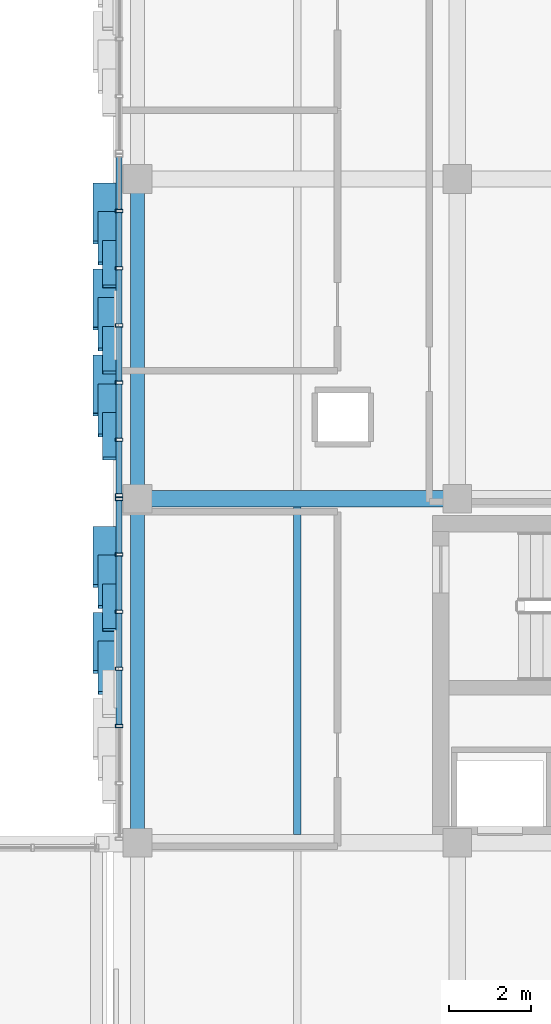
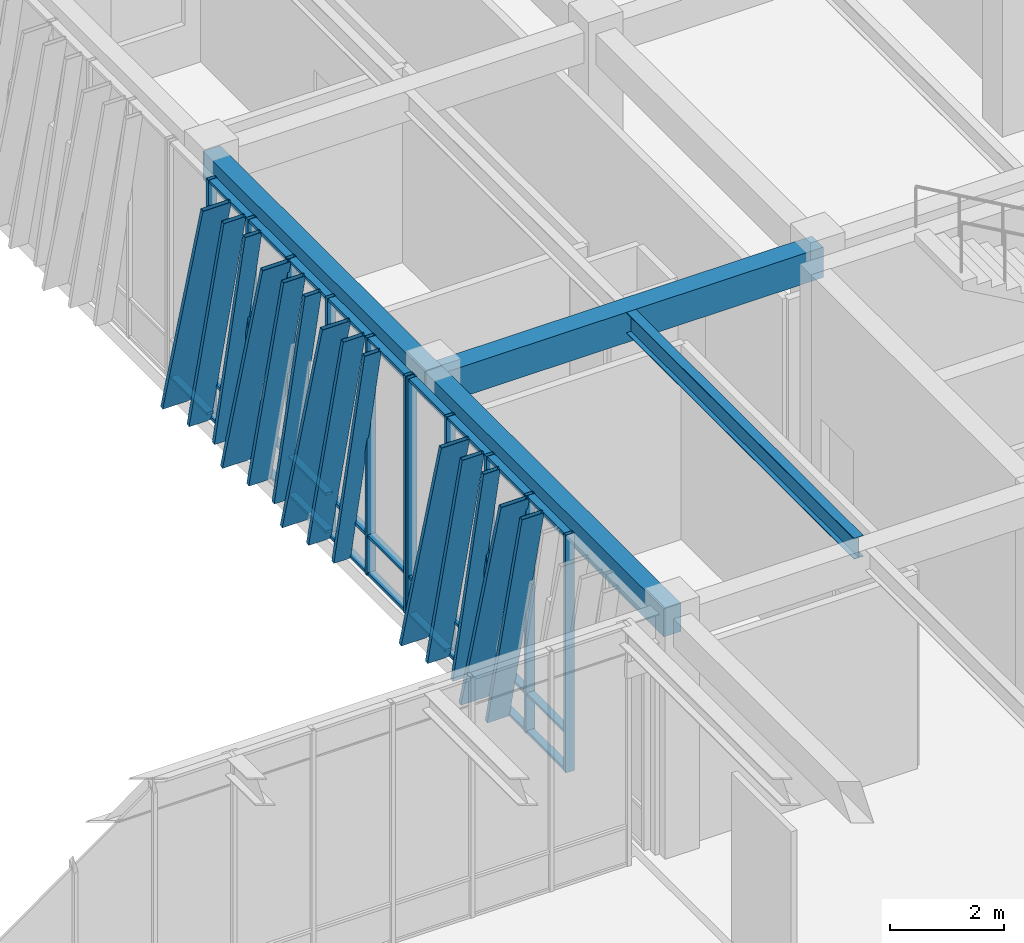
# One storey, part 67 of 139: 53 members, 4 beams, 2 elements without a shape of their own.
"""IFC4 building model written with IfcOpenShell, lengths in metres."""

from ifc_helpers import new_model, si_unit, direction, frame, origin, origin_2d, place, context, subcontext, project, spatial, rectangle, hollow_rectangle, i_section, extrude, material, layer, layer_set, material_profile, profile_set, type_object, element, aggregate, save


model = new_model("IFC4")

# Units and contexts
model_context = context("Model", 3, precision=1e-05, world=origin(), true_north=direction((0.0, 1.0)))
body_context = subcontext(model_context, "Body", "Model", "MODEL_VIEW")
ifc_project = project(units=[si_unit("LENGTHUNIT", "METRE"), si_unit("AREAUNIT", "SQUARE_METRE"), si_unit("VOLUMEUNIT", "CUBIC_METRE"), si_unit("PLANEANGLEUNIT", "RADIAN"), si_unit("MASSUNIT", "GRAM", prefix="KILO")], contexts=[model_context])

# Site, building, storey
site_placement = place(None, origin())
site = spatial("IfcSite", under=ifc_project, at=site_placement, CompositionType="ELEMENT")
building_placement = place(site_placement, origin())
building = spatial("IfcBuilding", under=site, at=building_placement, Name="Zayran Congress Hotel", CompositionType="ELEMENT")
storey_placement = place(building_placement, frame((0.0, 0.0, 5.39990234375)))
storey = spatial("IfcBuildingStorey", under=building, at=storey_placement, Name="L01", CompositionType="ELEMENT", Elevation=5.39990234375)

# Beams
ifc_material_1 = material(Name="Concrete C40/50", Category="concrete")
ifc_material_profile_1 = material_profile(ifc_material_1, rectangle(XDim=0.39990234375, YDim=0.64990234375, at=origin_2d()), Name="RC 400x650")
ifc_profile_set_1 = profile_set([ifc_material_profile_1], Name="Concrete C40/50")
beam_type_1 = type_object("IfcBeamType", Name="TP-BM-03", PredefinedType="BEAM", material=ifc_profile_set_1)
beam_1_placement = place(storey_placement, frame((109.800048828125, 92.800048828125, 4.775146484375), z_axis=(1.0, 0.0, 0.0), x_axis=(0.0, 1.0, 0.0)))
element("IfcBeam", 1, at=beam_1_placement, inside=storey, type_object=beam_type_1, Name="BM-V4-L01-1332", PredefinedType="BEAM", context=body_context, shape_type="SweptSolid", body=[
    extrude(rectangle(XDim=0.39990234375, YDim=0.64990234375, at=origin_2d()), origin(), (0.0, 0.0, 1.0), 7.800048828125),
])
ifc_material_profile_2 = material_profile(ifc_material_1, rectangle(XDim=0.35009765625, YDim=0.60009765625, at=origin_2d()), Name="RC 350x600")
ifc_profile_set_2 = profile_set([ifc_material_profile_2], Name="Concrete C40/50")
beam_type_2 = type_object("IfcBeamType", Name="TP-SP-01", PredefinedType="SPANDREL", material=ifc_profile_set_2)
beam_2_placement = place(storey_placement, frame((109.800048828125, 84.39990234375, 4.800048828125), z_axis=(0.0, 1.0, 0.0), x_axis=(-1.0, 0.0, 0.0)))
element("IfcBeam", 2, at=beam_2_placement, inside=storey, type_object=beam_type_2, Name="BM-V4-L01-1349", PredefinedType="SPANDREL", context=body_context, shape_type="SweptSolid", body=[
    extrude(rectangle(XDim=0.35009765625, YDim=0.60009765625, at=origin_2d()), origin(), (0.0, 0.0, 1.0), 8.400146484375),
])
beam_3_placement = place(storey_placement, frame((109.800048828125, 92.800048828125, 4.800048828125), z_axis=(0.0, 1.0, 0.0), x_axis=(-1.0, 0.0, 0.0)))
element("IfcBeam", 3, at=beam_3_placement, inside=storey, type_object=beam_type_2, Name="BM-V4-L01-1350", PredefinedType="SPANDREL", context=body_context, shape_type="SweptSolid", body=[
    extrude(rectangle(XDim=0.35009765625, YDim=0.60009765625, at=origin_2d()), origin(), (0.0, 0.0, 1.0), 7.800048828125),
])
ifc_material_2 = material(Name="Steel S355", Category="steel")
ifc_material_profile_3 = material_profile(ifc_material_2, i_section(OverallWidth=0.18994140625, OverallDepth=0.449951171875, WebThickness=0.009521484375, FlangeThickness=0.0146484375, at=origin_2d()), Name="IPE 450")
ifc_profile_set_3 = profile_set([ifc_material_profile_3], Name="Steel S355")
beam_type_3 = type_object("IfcBeamType", Name="TP-JS-02", PredefinedType="JOIST", material=ifc_profile_set_3)
beam_4_placement = place(storey_placement, frame((113.699951171875, 84.60009765625, 4.875), z_axis=(0.0, 1.0, 0.0), x_axis=(-1.0, 0.0, 0.0)))
element("IfcBeam", 4, at=beam_4_placement, inside=storey, type_object=beam_type_3, Name="JST-V4-L01-1387", PredefinedType="JOIST", context=body_context, shape_type="SweptSolid", body=[
    extrude(i_section(OverallWidth=0.18994140625, OverallDepth=0.449951171875, WebThickness=0.009521484375, FlangeThickness=0.0146484375, at=origin_2d()), origin(), (0.0, 0.0, 1.0), 8.0),
])

# Curtain wall, members
ifc_material_3 = material(Name="Anodised aluminium and low-E insulated glass", Category="aluminium")
ifc_layer_1 = layer(ifc_material_3, 0.179931640625)
ifc_layer_set_1 = layer_set([ifc_layer_1], Name="Anodised aluminium and low-E insulated glass")
curtain_wall_type_1 = type_object("IfcCurtainWallType", Name="CW-V4W-L01-CW-53-8371-5100", PredefinedType="USERDEFINED", material=ifc_layer_set_1)
curtain_wall_1_placement = place(storey_placement, origin())
curtain_wall_1 = element("IfcCurtainWall", 5, at=curtain_wall_1_placement, inside=storey, type_object=curtain_wall_type_1, Name="CW-V4W-L01-5", ObjectType="CURTAIN WALL", PredefinedType="USERDEFINED")
ifc_material_4 = material(Name="Anodised aluminium framing", Category="aluminium")
ifc_material_profile_4 = material_profile(ifc_material_4, hollow_rectangle(XDim=0.080078125, YDim=0.179931640625, WallThickness=0.0048828125, at=origin_2d()), Name="RHS 180x80x5")
ifc_profile_set_4 = profile_set([ifc_material_profile_4], Name="Anodised aluminium framing")
member_type_1 = type_object("IfcMemberType", Name="TP-CWM-01", PredefinedType="MULLION", material=ifc_profile_set_4)
member_1_placement = place(storey_placement, frame((109.35009765625, 92.7919921875, 0.0), z_axis=(0.0, 0.0, 1.0), x_axis=(0.0, 1.0, 0.0)))
member_1 = element("IfcMember", 6, at=member_1_placement, type_object=member_type_1, Name="CW-V4W-L01-5-M00", PredefinedType="MULLION", context=body_context, shape_type="SweptSolid", body=[
    extrude(hollow_rectangle(XDim=0.080078125, YDim=0.179931640625, WallThickness=0.0048828125, at=origin_2d()), origin(), (0.0, 0.0, 1.0), 5.10009765625),
])
member_2_placement = place(storey_placement, frame((109.35009765625, 91.436767578125, 0.0), z_axis=(0.0, 0.0, 1.0), x_axis=(0.0, 1.0, 0.0)))
member_2 = element("IfcMember", 7, at=member_2_placement, type_object=member_type_1, Name="CW-V4W-L01-5-M01", PredefinedType="MULLION", context=body_context, shape_type="SweptSolid", body=[
    extrude(hollow_rectangle(XDim=0.080078125, YDim=0.179931640625, WallThickness=0.0048828125, at=origin_2d()), origin(), (0.0, 0.0, 1.0), 5.10009765625),
])
member_3_placement = place(storey_placement, frame((109.35009765625, 90.041748046875, 0.0), z_axis=(0.0, 0.0, 1.0), x_axis=(0.0, 1.0, 0.0)))
member_3 = element("IfcMember", 8, at=member_3_placement, type_object=member_type_1, Name="CW-V4W-L01-5-M02", PredefinedType="MULLION", context=body_context, shape_type="SweptSolid", body=[
    extrude(hollow_rectangle(XDim=0.080078125, YDim=0.179931640625, WallThickness=0.0048828125, at=origin_2d()), origin(), (0.0, 0.0, 1.0), 5.10009765625),
])
member_4_placement = place(storey_placement, frame((109.35009765625, 88.646484375, 0.0), z_axis=(0.0, 0.0, 1.0), x_axis=(0.0, 1.0, 0.0)))
member_4 = element("IfcMember", 9, at=member_4_placement, type_object=member_type_1, Name="CW-V4W-L01-5-M03", PredefinedType="MULLION", context=body_context, shape_type="SweptSolid", body=[
    extrude(hollow_rectangle(XDim=0.080078125, YDim=0.179931640625, WallThickness=0.0048828125, at=origin_2d()), origin(), (0.0, 0.0, 1.0), 5.10009765625),
])
member_5_placement = place(storey_placement, frame((109.35009765625, 87.251220703125, 0.0), z_axis=(0.0, 0.0, 1.0), x_axis=(0.0, 1.0, 0.0)))
member_5 = element("IfcMember", 10, at=member_5_placement, type_object=member_type_1, Name="CW-V4W-L01-5-M04", PredefinedType="MULLION", context=body_context, shape_type="SweptSolid", body=[
    extrude(hollow_rectangle(XDim=0.080078125, YDim=0.179931640625, WallThickness=0.0048828125, at=origin_2d()), origin(), (0.0, 0.0, 1.0), 5.10009765625),
])

ifc_layer_2 = layer(ifc_material_3, 0.179931640625)
ifc_layer_set_2 = layer_set([ifc_layer_2], Name="Anodised aluminium and low-E insulated glass")
curtain_wall_type_2 = type_object("IfcCurtainWallType", Name="CW-V4W-L01-CW-51-8372-5100", PredefinedType="USERDEFINED", material=ifc_layer_set_2)
curtain_wall_2_placement = place(storey_placement, origin())
curtain_wall_2 = element("IfcCurtainWall", 11, at=curtain_wall_2_placement, inside=storey, type_object=curtain_wall_type_2, Name="CW-V4W-L01-6", ObjectType="CURTAIN WALL", PredefinedType="USERDEFINED")
member_6_placement = place(storey_placement, frame((109.35009765625, 99.818603515625, 0.0), z_axis=(0.0, 0.0, 1.0), x_axis=(0.0, 1.0, 0.0)))
member_6 = element("IfcMember", 12, at=member_6_placement, type_object=member_type_1, Name="CW-V4W-L01-6-M01", PredefinedType="MULLION", context=body_context, shape_type="SweptSolid", body=[
    extrude(hollow_rectangle(XDim=0.080078125, YDim=0.179931640625, WallThickness=0.0048828125, at=origin_2d()), origin(), (0.0, 0.0, 1.0), 5.10009765625),
])
member_7_placement = place(storey_placement, frame((109.35009765625, 98.42333984375, 0.0), z_axis=(0.0, 0.0, 1.0), x_axis=(0.0, 1.0, 0.0)))
member_7 = element("IfcMember", 13, at=member_7_placement, type_object=member_type_1, Name="CW-V4W-L01-6-M02", PredefinedType="MULLION", context=body_context, shape_type="SweptSolid", body=[
    extrude(hollow_rectangle(XDim=0.080078125, YDim=0.179931640625, WallThickness=0.0048828125, at=origin_2d()), origin(), (0.0, 0.0, 1.0), 5.10009765625),
])
member_8_placement = place(storey_placement, frame((109.35009765625, 97.028076171875, 0.0), z_axis=(0.0, 0.0, 1.0), x_axis=(0.0, 1.0, 0.0)))
member_8 = element("IfcMember", 14, at=member_8_placement, type_object=member_type_1, Name="CW-V4W-L01-6-M03", PredefinedType="MULLION", context=body_context, shape_type="SweptSolid", body=[
    extrude(hollow_rectangle(XDim=0.080078125, YDim=0.179931640625, WallThickness=0.0048828125, at=origin_2d()), origin(), (0.0, 0.0, 1.0), 5.10009765625),
])
member_9_placement = place(storey_placement, frame((109.35009765625, 95.6328125, 0.0), z_axis=(0.0, 0.0, 1.0), x_axis=(0.0, 1.0, 0.0)))
member_9 = element("IfcMember", 15, at=member_9_placement, type_object=member_type_1, Name="CW-V4W-L01-6-M04", PredefinedType="MULLION", context=body_context, shape_type="SweptSolid", body=[
    extrude(hollow_rectangle(XDim=0.080078125, YDim=0.179931640625, WallThickness=0.0048828125, at=origin_2d()), origin(), (0.0, 0.0, 1.0), 5.10009765625),
])
member_10_placement = place(storey_placement, frame((109.35009765625, 94.2373046875, 0.0), z_axis=(0.0, 0.0, 1.0), x_axis=(0.0, 1.0, 0.0)))
member_10 = element("IfcMember", 16, at=member_10_placement, type_object=member_type_1, Name="CW-V4W-L01-6-M05", PredefinedType="MULLION", context=body_context, shape_type="SweptSolid", body=[
    extrude(hollow_rectangle(XDim=0.080078125, YDim=0.179931640625, WallThickness=0.0048828125, at=origin_2d()), origin(), (0.0, 0.0, 1.0), 5.10009765625),
])
member_11_placement = place(storey_placement, frame((109.35009765625, 92.882080078125, 0.0), z_axis=(0.0, 0.0, 1.0), x_axis=(0.0, 1.0, 0.0)))
member_11 = element("IfcMember", 17, at=member_11_placement, type_object=member_type_1, Name="CW-V4W-L01-6-M06", PredefinedType="MULLION", context=body_context, shape_type="SweptSolid", body=[
    extrude(hollow_rectangle(XDim=0.080078125, YDim=0.179931640625, WallThickness=0.0048828125, at=origin_2d()), origin(), (0.0, 0.0, 1.0), 5.10009765625),
])

# Member
ifc_material_profile_5 = material_profile(ifc_material_4, hollow_rectangle(XDim=0.06005859375, YDim=0.14990234375, WallThickness=0.00390625, at=origin_2d()), Name="RHS 150x60x4")
ifc_profile_set_5 = profile_set([ifc_material_profile_5], Name="Anodised aluminium framing")
member_type_2 = type_object("IfcMemberType", Name="TP-CWT-01", PredefinedType="USERDEFINED", material=ifc_profile_set_5)
member_12_placement = place(storey_placement, frame((109.35009765625, 92.751953125, 0.030029296875), z_axis=(0.0, -1.0, 0.0), x_axis=(0.0, 0.0, 1.0)))
member_12 = element("IfcMember", 18, at=member_12_placement, type_object=member_type_2, Name="CW-V4W-L01-5-T00-0", ObjectType="TRANSOM", PredefinedType="USERDEFINED", context=body_context, shape_type="SweptSolid", body=[
    extrude(hollow_rectangle(XDim=0.06005859375, YDim=0.14990234375, WallThickness=0.00390625, at=origin_2d()), origin(), (0.0, 0.0, 1.0), 1.275146484375),
])

member_13_placement = place(storey_placement, frame((109.35009765625, 92.751953125, 0.840087890625), z_axis=(0.0, -1.0, 0.0), x_axis=(0.0, 0.0, 1.0)))
member_13 = element("IfcMember", 19, at=member_13_placement, type_object=member_type_2, Name="CW-V4W-L01-5-T00-1", ObjectType="TRANSOM", PredefinedType="USERDEFINED", context=body_context, shape_type="SweptSolid", body=[
    extrude(hollow_rectangle(XDim=0.06005859375, YDim=0.14990234375, WallThickness=0.00390625, at=origin_2d()), origin(), (0.0, 0.0, 1.0), 1.275146484375),
])

member_14_placement = place(storey_placement, frame((109.35009765625, 92.751953125, 5.070068359375), z_axis=(0.0, -1.0, 0.0), x_axis=(0.0, 0.0, 1.0)))
member_14 = element("IfcMember", 20, at=member_14_placement, type_object=member_type_2, Name="CW-V4W-L01-5-T00-2", ObjectType="TRANSOM", PredefinedType="USERDEFINED", context=body_context, shape_type="SweptSolid", body=[
    extrude(hollow_rectangle(XDim=0.06005859375, YDim=0.14990234375, WallThickness=0.00390625, at=origin_2d()), origin(), (0.0, 0.0, 1.0), 1.275146484375),
])

member_15_placement = place(storey_placement, frame((109.35009765625, 91.396728515625, 0.030029296875), z_axis=(0.0, -1.0, 0.0), x_axis=(0.0, 0.0, 1.0)))
member_15 = element("IfcMember", 21, at=member_15_placement, type_object=member_type_2, Name="CW-V4W-L01-5-T01-0", ObjectType="TRANSOM", PredefinedType="USERDEFINED", context=body_context, shape_type="SweptSolid", body=[
    extrude(hollow_rectangle(XDim=0.06005859375, YDim=0.14990234375, WallThickness=0.00390625, at=origin_2d()), origin(), (0.0, 0.0, 1.0), 1.31494140625),
])

member_16_placement = place(storey_placement, frame((109.35009765625, 91.396728515625, 0.840087890625), z_axis=(0.0, -1.0, 0.0), x_axis=(0.0, 0.0, 1.0)))
member_16 = element("IfcMember", 22, at=member_16_placement, type_object=member_type_2, Name="CW-V4W-L01-5-T01-1", ObjectType="TRANSOM", PredefinedType="USERDEFINED", context=body_context, shape_type="SweptSolid", body=[
    extrude(hollow_rectangle(XDim=0.06005859375, YDim=0.14990234375, WallThickness=0.00390625, at=origin_2d()), origin(), (0.0, 0.0, 1.0), 1.31494140625),
])

member_17_placement = place(storey_placement, frame((109.35009765625, 91.396728515625, 5.070068359375), z_axis=(0.0, -1.0, 0.0), x_axis=(0.0, 0.0, 1.0)))
member_17 = element("IfcMember", 23, at=member_17_placement, type_object=member_type_2, Name="CW-V4W-L01-5-T01-2", ObjectType="TRANSOM", PredefinedType="USERDEFINED", context=body_context, shape_type="SweptSolid", body=[
    extrude(hollow_rectangle(XDim=0.06005859375, YDim=0.14990234375, WallThickness=0.00390625, at=origin_2d()), origin(), (0.0, 0.0, 1.0), 1.31494140625),
])

member_18_placement = place(storey_placement, frame((109.35009765625, 90.001708984375, 0.030029296875), z_axis=(0.0, -1.0, 0.0), x_axis=(0.0, 0.0, 1.0)))
member_18 = element("IfcMember", 24, at=member_18_placement, type_object=member_type_2, Name="CW-V4W-L01-5-T02-0", ObjectType="TRANSOM", PredefinedType="USERDEFINED", context=body_context, shape_type="SweptSolid", body=[
    extrude(hollow_rectangle(XDim=0.06005859375, YDim=0.14990234375, WallThickness=0.00390625, at=origin_2d()), origin(), (0.0, 0.0, 1.0), 1.315185546875),
])

member_19_placement = place(storey_placement, frame((109.35009765625, 90.001708984375, 0.840087890625), z_axis=(0.0, -1.0, 0.0), x_axis=(0.0, 0.0, 1.0)))
member_19 = element("IfcMember", 25, at=member_19_placement, type_object=member_type_2, Name="CW-V4W-L01-5-T02-1", ObjectType="TRANSOM", PredefinedType="USERDEFINED", context=body_context, shape_type="SweptSolid", body=[
    extrude(hollow_rectangle(XDim=0.06005859375, YDim=0.14990234375, WallThickness=0.00390625, at=origin_2d()), origin(), (0.0, 0.0, 1.0), 1.315185546875),
])

member_20_placement = place(storey_placement, frame((109.35009765625, 90.001708984375, 5.070068359375), z_axis=(0.0, -1.0, 0.0), x_axis=(0.0, 0.0, 1.0)))
member_20 = element("IfcMember", 26, at=member_20_placement, type_object=member_type_2, Name="CW-V4W-L01-5-T02-2", ObjectType="TRANSOM", PredefinedType="USERDEFINED", context=body_context, shape_type="SweptSolid", body=[
    extrude(hollow_rectangle(XDim=0.06005859375, YDim=0.14990234375, WallThickness=0.00390625, at=origin_2d()), origin(), (0.0, 0.0, 1.0), 1.315185546875),
])

member_21_placement = place(storey_placement, frame((109.35009765625, 88.6064453125, 0.030029296875), z_axis=(0.0, -1.0, 0.0), x_axis=(0.0, 0.0, 1.0)))
member_21 = element("IfcMember", 27, at=member_21_placement, type_object=member_type_2, Name="CW-V4W-L01-5-T03-0", ObjectType="TRANSOM", PredefinedType="USERDEFINED", context=body_context, shape_type="SweptSolid", body=[
    extrude(hollow_rectangle(XDim=0.06005859375, YDim=0.14990234375, WallThickness=0.00390625, at=origin_2d()), origin(), (0.0, 0.0, 1.0), 1.315185546875),
])

member_22_placement = place(storey_placement, frame((109.35009765625, 88.6064453125, 0.840087890625), z_axis=(0.0, -1.0, 0.0), x_axis=(0.0, 0.0, 1.0)))
member_22 = element("IfcMember", 28, at=member_22_placement, type_object=member_type_2, Name="CW-V4W-L01-5-T03-1", ObjectType="TRANSOM", PredefinedType="USERDEFINED", context=body_context, shape_type="SweptSolid", body=[
    extrude(hollow_rectangle(XDim=0.06005859375, YDim=0.14990234375, WallThickness=0.00390625, at=origin_2d()), origin(), (0.0, 0.0, 1.0), 1.315185546875),
])

member_23_placement = place(storey_placement, frame((109.35009765625, 88.6064453125, 5.070068359375), z_axis=(0.0, -1.0, 0.0), x_axis=(0.0, 0.0, 1.0)))
member_23 = element("IfcMember", 29, at=member_23_placement, type_object=member_type_2, Name="CW-V4W-L01-5-T03-2", ObjectType="TRANSOM", PredefinedType="USERDEFINED", context=body_context, shape_type="SweptSolid", body=[
    extrude(hollow_rectangle(XDim=0.06005859375, YDim=0.14990234375, WallThickness=0.00390625, at=origin_2d()), origin(), (0.0, 0.0, 1.0), 1.315185546875),
])

member_24_placement = place(storey_placement, frame((109.35009765625, 101.134033203125, 0.030029296875), z_axis=(0.0, -1.0, 0.0), x_axis=(0.0, 0.0, 1.0)))
member_24 = element("IfcMember", 30, at=member_24_placement, type_object=member_type_2, Name="CW-V4W-L01-6-T00-0", ObjectType="TRANSOM", PredefinedType="USERDEFINED", context=body_context, shape_type="SweptSolid", body=[
    extrude(hollow_rectangle(XDim=0.06005859375, YDim=0.14990234375, WallThickness=0.00390625, at=origin_2d()), origin(), (0.0, 0.0, 1.0), 1.275390625),
])

member_25_placement = place(storey_placement, frame((109.35009765625, 99.77880859375, 0.030029296875), z_axis=(0.0, -1.0, 0.0), x_axis=(0.0, 0.0, 1.0)))
member_25 = element("IfcMember", 31, at=member_25_placement, type_object=member_type_2, Name="CW-V4W-L01-6-T01-0", ObjectType="TRANSOM", PredefinedType="USERDEFINED", context=body_context, shape_type="SweptSolid", body=[
    extrude(hollow_rectangle(XDim=0.06005859375, YDim=0.14990234375, WallThickness=0.00390625, at=origin_2d()), origin(), (0.0, 0.0, 1.0), 1.3154296875),
])

member_26_placement = place(storey_placement, frame((109.35009765625, 99.77880859375, 0.840087890625), z_axis=(0.0, -1.0, 0.0), x_axis=(0.0, 0.0, 1.0)))
member_26 = element("IfcMember", 32, at=member_26_placement, type_object=member_type_2, Name="CW-V4W-L01-6-T01-1", ObjectType="TRANSOM", PredefinedType="USERDEFINED", context=body_context, shape_type="SweptSolid", body=[
    extrude(hollow_rectangle(XDim=0.06005859375, YDim=0.14990234375, WallThickness=0.00390625, at=origin_2d()), origin(), (0.0, 0.0, 1.0), 1.3154296875),
])

member_27_placement = place(storey_placement, frame((109.35009765625, 99.77880859375, 5.070068359375), z_axis=(0.0, -1.0, 0.0), x_axis=(0.0, 0.0, 1.0)))
member_27 = element("IfcMember", 33, at=member_27_placement, type_object=member_type_2, Name="CW-V4W-L01-6-T01-2", ObjectType="TRANSOM", PredefinedType="USERDEFINED", context=body_context, shape_type="SweptSolid", body=[
    extrude(hollow_rectangle(XDim=0.06005859375, YDim=0.14990234375, WallThickness=0.00390625, at=origin_2d()), origin(), (0.0, 0.0, 1.0), 1.3154296875),
])

member_28_placement = place(storey_placement, frame((109.35009765625, 98.38330078125, 0.030029296875), z_axis=(0.0, -1.0, 0.0), x_axis=(0.0, 0.0, 1.0)))
member_28 = element("IfcMember", 34, at=member_28_placement, type_object=member_type_2, Name="CW-V4W-L01-6-T02-0", ObjectType="TRANSOM", PredefinedType="USERDEFINED", context=body_context, shape_type="SweptSolid", body=[
    extrude(hollow_rectangle(XDim=0.06005859375, YDim=0.14990234375, WallThickness=0.00390625, at=origin_2d()), origin(), (0.0, 0.0, 1.0), 1.315185546875),
])

member_29_placement = place(storey_placement, frame((109.35009765625, 98.38330078125, 0.840087890625), z_axis=(0.0, -1.0, 0.0), x_axis=(0.0, 0.0, 1.0)))
member_29 = element("IfcMember", 35, at=member_29_placement, type_object=member_type_2, Name="CW-V4W-L01-6-T02-1", ObjectType="TRANSOM", PredefinedType="USERDEFINED", context=body_context, shape_type="SweptSolid", body=[
    extrude(hollow_rectangle(XDim=0.06005859375, YDim=0.14990234375, WallThickness=0.00390625, at=origin_2d()), origin(), (0.0, 0.0, 1.0), 1.315185546875),
])

member_30_placement = place(storey_placement, frame((109.35009765625, 98.38330078125, 5.070068359375), z_axis=(0.0, -1.0, 0.0), x_axis=(0.0, 0.0, 1.0)))
member_30 = element("IfcMember", 36, at=member_30_placement, type_object=member_type_2, Name="CW-V4W-L01-6-T02-2", ObjectType="TRANSOM", PredefinedType="USERDEFINED", context=body_context, shape_type="SweptSolid", body=[
    extrude(hollow_rectangle(XDim=0.06005859375, YDim=0.14990234375, WallThickness=0.00390625, at=origin_2d()), origin(), (0.0, 0.0, 1.0), 1.315185546875),
])

member_31_placement = place(storey_placement, frame((109.35009765625, 96.988037109375, 0.030029296875), z_axis=(0.0, -1.0, 0.0), x_axis=(0.0, 0.0, 1.0)))
member_31 = element("IfcMember", 37, at=member_31_placement, type_object=member_type_2, Name="CW-V4W-L01-6-T03-0", ObjectType="TRANSOM", PredefinedType="USERDEFINED", context=body_context, shape_type="SweptSolid", body=[
    extrude(hollow_rectangle(XDim=0.06005859375, YDim=0.14990234375, WallThickness=0.00390625, at=origin_2d()), origin(), (0.0, 0.0, 1.0), 1.3154296875),
])

member_32_placement = place(storey_placement, frame((109.35009765625, 96.988037109375, 0.840087890625), z_axis=(0.0, -1.0, 0.0), x_axis=(0.0, 0.0, 1.0)))
member_32 = element("IfcMember", 38, at=member_32_placement, type_object=member_type_2, Name="CW-V4W-L01-6-T03-1", ObjectType="TRANSOM", PredefinedType="USERDEFINED", context=body_context, shape_type="SweptSolid", body=[
    extrude(hollow_rectangle(XDim=0.06005859375, YDim=0.14990234375, WallThickness=0.00390625, at=origin_2d()), origin(), (0.0, 0.0, 1.0), 1.3154296875),
])

member_33_placement = place(storey_placement, frame((109.35009765625, 96.988037109375, 5.070068359375), z_axis=(0.0, -1.0, 0.0), x_axis=(0.0, 0.0, 1.0)))
member_33 = element("IfcMember", 39, at=member_33_placement, type_object=member_type_2, Name="CW-V4W-L01-6-T03-2", ObjectType="TRANSOM", PredefinedType="USERDEFINED", context=body_context, shape_type="SweptSolid", body=[
    extrude(hollow_rectangle(XDim=0.06005859375, YDim=0.14990234375, WallThickness=0.00390625, at=origin_2d()), origin(), (0.0, 0.0, 1.0), 1.3154296875),
])

member_34_placement = place(storey_placement, frame((109.35009765625, 95.5927734375, 0.030029296875), z_axis=(0.0, -1.0, 0.0), x_axis=(0.0, 0.0, 1.0)))
member_34 = element("IfcMember", 40, at=member_34_placement, type_object=member_type_2, Name="CW-V4W-L01-6-T04-0", ObjectType="TRANSOM", PredefinedType="USERDEFINED", context=body_context, shape_type="SweptSolid", body=[
    extrude(hollow_rectangle(XDim=0.06005859375, YDim=0.14990234375, WallThickness=0.00390625, at=origin_2d()), origin(), (0.0, 0.0, 1.0), 1.3154296875),
])

member_35_placement = place(storey_placement, frame((109.35009765625, 95.5927734375, 0.840087890625), z_axis=(0.0, -1.0, 0.0), x_axis=(0.0, 0.0, 1.0)))
member_35 = element("IfcMember", 41, at=member_35_placement, type_object=member_type_2, Name="CW-V4W-L01-6-T04-1", ObjectType="TRANSOM", PredefinedType="USERDEFINED", context=body_context, shape_type="SweptSolid", body=[
    extrude(hollow_rectangle(XDim=0.06005859375, YDim=0.14990234375, WallThickness=0.00390625, at=origin_2d()), origin(), (0.0, 0.0, 1.0), 1.3154296875),
])

member_36_placement = place(storey_placement, frame((109.35009765625, 95.5927734375, 5.070068359375), z_axis=(0.0, -1.0, 0.0), x_axis=(0.0, 0.0, 1.0)))
member_36 = element("IfcMember", 42, at=member_36_placement, type_object=member_type_2, Name="CW-V4W-L01-6-T04-2", ObjectType="TRANSOM", PredefinedType="USERDEFINED", context=body_context, shape_type="SweptSolid", body=[
    extrude(hollow_rectangle(XDim=0.06005859375, YDim=0.14990234375, WallThickness=0.00390625, at=origin_2d()), origin(), (0.0, 0.0, 1.0), 1.3154296875),
])

member_37_placement = place(storey_placement, frame((109.35009765625, 94.197265625, 0.030029296875), z_axis=(0.0, -1.0, 0.0), x_axis=(0.0, 0.0, 1.0)))
member_37 = element("IfcMember", 43, at=member_37_placement, type_object=member_type_2, Name="CW-V4W-L01-6-T05-0", ObjectType="TRANSOM", PredefinedType="USERDEFINED", context=body_context, shape_type="SweptSolid", body=[
    extrude(hollow_rectangle(XDim=0.06005859375, YDim=0.14990234375, WallThickness=0.00390625, at=origin_2d()), origin(), (0.0, 0.0, 1.0), 1.275146484375),
])

member_38_placement = place(storey_placement, frame((109.35009765625, 94.197265625, 0.840087890625), z_axis=(0.0, -1.0, 0.0), x_axis=(0.0, 0.0, 1.0)))
member_38 = element("IfcMember", 44, at=member_38_placement, type_object=member_type_2, Name="CW-V4W-L01-6-T05-1", ObjectType="TRANSOM", PredefinedType="USERDEFINED", context=body_context, shape_type="SweptSolid", body=[
    extrude(hollow_rectangle(XDim=0.06005859375, YDim=0.14990234375, WallThickness=0.00390625, at=origin_2d()), origin(), (0.0, 0.0, 1.0), 1.275146484375),
])

member_39_placement = place(storey_placement, frame((109.35009765625, 94.197265625, 5.070068359375), z_axis=(0.0, -1.0, 0.0), x_axis=(0.0, 0.0, 1.0)))
member_39 = element("IfcMember", 45, at=member_39_placement, type_object=member_type_2, Name="CW-V4W-L01-6-T05-2", ObjectType="TRANSOM", PredefinedType="USERDEFINED", context=body_context, shape_type="SweptSolid", body=[
    extrude(hollow_rectangle(XDim=0.06005859375, YDim=0.14990234375, WallThickness=0.00390625, at=origin_2d()), origin(), (0.0, 0.0, 1.0), 1.275146484375),
])

ifc_material_5 = material(Name="Warm bronze anodised aluminium", Category="aluminium")
ifc_material_profile_6 = material_profile(ifc_material_5, hollow_rectangle(XDim=0.080078125, YDim=0.580078125, WallThickness=0.006103515625, at=origin_2d()), Name="RHS 580x80x6")
ifc_profile_set_6 = profile_set([ifc_material_profile_6], Name="Warm bronze anodised aluminium")
member_type_3 = type_object("IfcMemberType", Name="TP-RFN-01", PredefinedType="MULLION", material=ifc_profile_set_6)
member_40_placement = place(storey_placement, frame((109.0, 92.08203125, 0.0), z_axis=(0.0, -0.267267943227, 0.963622253024), x_axis=(0.0, 0.963622253024, 0.267267943227)))
member_40 = element("IfcMember", 46, at=member_40_placement, type_object=member_type_3, Name="Slanting Reed Mullion CW-53-01", PredefinedType="MULLION", context=body_context, shape_type="SweptSolid", body=[
    extrude(hollow_rectangle(XDim=0.080078125, YDim=0.580078125, WallThickness=0.006103515625, at=origin_2d()), origin(), (0.0, 0.0, 1.0), 5.292724609375),
])

member_41_placement = place(storey_placement, frame((109.0, 89.98193359375, 0.0), z_axis=(0.0, -0.267225109087, 0.963634132372), x_axis=(0.0, 0.963634132372, 0.267225109087)))
member_41 = element("IfcMember", 47, at=member_41_placement, type_object=member_type_3, Name="Slanting Reed Mullion CW-53-04", PredefinedType="MULLION", context=body_context, shape_type="SweptSolid", body=[
    extrude(hollow_rectangle(XDim=0.080078125, YDim=0.580078125, WallThickness=0.006103515625, at=origin_2d()), origin(), (0.0, 0.0, 1.0), 5.29248046875),
])

member_42_placement = place(storey_placement, frame((109.0, 100.464111328125, 0.0), z_axis=(0.0, -0.267267943227, 0.963622253024), x_axis=(0.0, 0.963622253024, 0.267267943227)))
member_42 = element("IfcMember", 48, at=member_42_placement, type_object=member_type_3, Name="Slanting Reed Mullion CW-51-01", PredefinedType="MULLION", context=body_context, shape_type="SweptSolid", body=[
    extrude(hollow_rectangle(XDim=0.080078125, YDim=0.580078125, WallThickness=0.006103515625, at=origin_2d()), origin(), (0.0, 0.0, 1.0), 5.292724609375),
])

member_43_placement = place(storey_placement, frame((109.0, 98.364013671875, 0.0), z_axis=(0.0, -0.267225109087, 0.963634132372), x_axis=(0.0, 0.963634132372, 0.267225109087)))
member_43 = element("IfcMember", 49, at=member_43_placement, type_object=member_type_3, Name="Slanting Reed Mullion CW-51-04", PredefinedType="MULLION", context=body_context, shape_type="SweptSolid", body=[
    extrude(hollow_rectangle(XDim=0.080078125, YDim=0.580078125, WallThickness=0.006103515625, at=origin_2d()), origin(), (0.0, 0.0, 1.0), 5.29248046875),
])

member_44_placement = place(storey_placement, frame((109.0, 96.263916015625, 0.0), z_axis=(0.0, -0.267225109087, 0.963634132372), x_axis=(0.0, 0.963634132372, 0.267225109087)))
member_44 = element("IfcMember", 50, at=member_44_placement, type_object=member_type_3, Name="Slanting Reed Mullion CW-51-07", PredefinedType="MULLION", context=body_context, shape_type="SweptSolid", body=[
    extrude(hollow_rectangle(XDim=0.080078125, YDim=0.580078125, WallThickness=0.006103515625, at=origin_2d()), origin(), (0.0, 0.0, 1.0), 5.29248046875),
])

ifc_material_profile_7 = material_profile(ifc_material_5, hollow_rectangle(XDim=0.080078125, YDim=0.449951171875, WallThickness=0.006103515625, at=origin_2d()), Name="RHS 450x80x6")
ifc_profile_set_7 = profile_set([ifc_material_profile_7], Name="Warm bronze anodised aluminium")
member_type_4 = type_object("IfcMemberType", Name="TP-RFN-02", PredefinedType="MULLION", material=ifc_profile_set_7)
member_45_placement = place(storey_placement, frame((109.06494140625, 91.382080078125, 0.0), z_axis=(0.0, -0.233434569046, 0.972372511939), x_axis=(0.0, 0.972372511939, 0.233434569046)))
member_45 = element("IfcMember", 51, at=member_45_placement, type_object=member_type_4, Name="Slanting Reed Mullion CW-53-02", PredefinedType="MULLION", context=body_context, shape_type="SweptSolid", body=[
    extrude(hollow_rectangle(XDim=0.080078125, YDim=0.449951171875, WallThickness=0.006103515625, at=origin_2d()), origin(), (0.0, 0.0, 1.0), 5.2451171875),
])

member_46_placement = place(storey_placement, frame((109.06494140625, 89.281982421875, 0.0), z_axis=(0.0, -0.233434569046, 0.972372511939), x_axis=(0.0, 0.972372511939, 0.233434569046)))
member_46 = element("IfcMember", 52, at=member_46_placement, type_object=member_type_4, Name="Slanting Reed Mullion CW-53-05", PredefinedType="MULLION", context=body_context, shape_type="SweptSolid", body=[
    extrude(hollow_rectangle(XDim=0.080078125, YDim=0.449951171875, WallThickness=0.006103515625, at=origin_2d()), origin(), (0.0, 0.0, 1.0), 5.2451171875),
])

member_47_placement = place(storey_placement, frame((109.06494140625, 99.763916015625, 0.0), z_axis=(0.0, -0.233434569046, 0.972372511939), x_axis=(0.0, 0.972372511939, 0.233434569046)))
member_47 = element("IfcMember", 53, at=member_47_placement, type_object=member_type_4, Name="Slanting Reed Mullion CW-51-02", PredefinedType="MULLION", context=body_context, shape_type="SweptSolid", body=[
    extrude(hollow_rectangle(XDim=0.080078125, YDim=0.449951171875, WallThickness=0.006103515625, at=origin_2d()), origin(), (0.0, 0.0, 1.0), 5.2451171875),
])

member_48_placement = place(storey_placement, frame((109.06494140625, 97.6640625, 0.0), z_axis=(0.0, -0.233434569046, 0.972372511939), x_axis=(0.0, 0.972372511939, 0.233434569046)))
member_48 = element("IfcMember", 54, at=member_48_placement, type_object=member_type_4, Name="Slanting Reed Mullion CW-51-05", PredefinedType="MULLION", context=body_context, shape_type="SweptSolid", body=[
    extrude(hollow_rectangle(XDim=0.080078125, YDim=0.449951171875, WallThickness=0.006103515625, at=origin_2d()), origin(), (0.0, 0.0, 1.0), 5.2451171875),
])

member_49_placement = place(storey_placement, frame((109.06494140625, 95.56396484375, 0.0), z_axis=(0.0, -0.233434569046, 0.972372511939), x_axis=(0.0, 0.972372511939, 0.233434569046)))
member_49 = element("IfcMember", 55, at=member_49_placement, type_object=member_type_4, Name="Slanting Reed Mullion CW-51-08", PredefinedType="MULLION", context=body_context, shape_type="SweptSolid", body=[
    extrude(hollow_rectangle(XDim=0.080078125, YDim=0.449951171875, WallThickness=0.006103515625, at=origin_2d()), origin(), (0.0, 0.0, 1.0), 5.2451171875),
])

ifc_material_profile_8 = material_profile(ifc_material_5, hollow_rectangle(XDim=0.080078125, YDim=0.340087890625, WallThickness=0.006103515625, at=origin_2d()), Name="RHS 340x80x6")
ifc_profile_set_8 = profile_set([ifc_material_profile_8], Name="Warm bronze anodised aluminium")
member_type_5 = type_object("IfcMemberType", Name="TP-RFN-03", PredefinedType="MULLION", material=ifc_profile_set_8)
member_50_placement = place(storey_placement, frame((109.1201171875, 90.681884765625, 0.0), z_axis=(0.0, -0.207897956377, 0.978150519979), x_axis=(0.0, 0.978150519979, 0.207897956377)))
member_50 = element("IfcMember", 56, at=member_50_placement, type_object=member_type_5, Name="Slanting Reed Mullion CW-53-03", PredefinedType="MULLION", context=body_context, shape_type="SweptSolid", body=[
    extrude(hollow_rectangle(XDim=0.080078125, YDim=0.340087890625, WallThickness=0.006103515625, at=origin_2d()), origin(), (0.0, 0.0, 1.0), 5.214111328125),
])

aggregate(curtain_wall_1, [member_1, member_2, member_3, member_4, member_5, member_12, member_13, member_14, member_15, member_16, member_17, member_18, member_19, member_20, member_21, member_22, member_23, member_40, member_45, member_50, member_41, member_46])

member_51_placement = place(storey_placement, frame((109.1201171875, 99.06396484375, 0.0), z_axis=(0.0, -0.207897956377, 0.978150519979), x_axis=(0.0, 0.978150519979, 0.207897956377)))
member_51 = element("IfcMember", 57, at=member_51_placement, type_object=member_type_5, Name="Slanting Reed Mullion CW-51-03", PredefinedType="MULLION", context=body_context, shape_type="SweptSolid", body=[
    extrude(hollow_rectangle(XDim=0.080078125, YDim=0.340087890625, WallThickness=0.006103515625, at=origin_2d()), origin(), (0.0, 0.0, 1.0), 5.214111328125),
])

member_52_placement = place(storey_placement, frame((109.1201171875, 96.964111328125, 0.0), z_axis=(0.0, -0.207942755786, 0.978140997155), x_axis=(0.0, 0.978140997155, 0.207942755786)))
member_52 = element("IfcMember", 58, at=member_52_placement, type_object=member_type_5, Name="Slanting Reed Mullion CW-51-06", PredefinedType="MULLION", context=body_context, shape_type="SweptSolid", body=[
    extrude(hollow_rectangle(XDim=0.080078125, YDim=0.340087890625, WallThickness=0.006103515625, at=origin_2d()), origin(), (0.0, 0.0, 1.0), 5.214111328125),
])

member_53_placement = place(storey_placement, frame((109.1201171875, 94.864013671875, 0.0), z_axis=(0.0, -0.207897956377, 0.978150519979), x_axis=(0.0, 0.978150519979, 0.207897956377)))
member_53 = element("IfcMember", 59, at=member_53_placement, type_object=member_type_5, Name="Slanting Reed Mullion CW-51-09", PredefinedType="MULLION", context=body_context, shape_type="SweptSolid", body=[
    extrude(hollow_rectangle(XDim=0.080078125, YDim=0.340087890625, WallThickness=0.006103515625, at=origin_2d()), origin(), (0.0, 0.0, 1.0), 5.214111328125),
])

aggregate(curtain_wall_2, [member_6, member_7, member_8, member_9, member_10, member_11, member_24, member_25, member_26, member_27, member_28, member_29, member_30, member_31, member_32, member_33, member_34, member_35, member_36, member_37, member_38, member_39, member_42, member_47, member_51, member_43, member_48, member_52, member_44, member_49, member_53])

save(model, "model.ifc")
